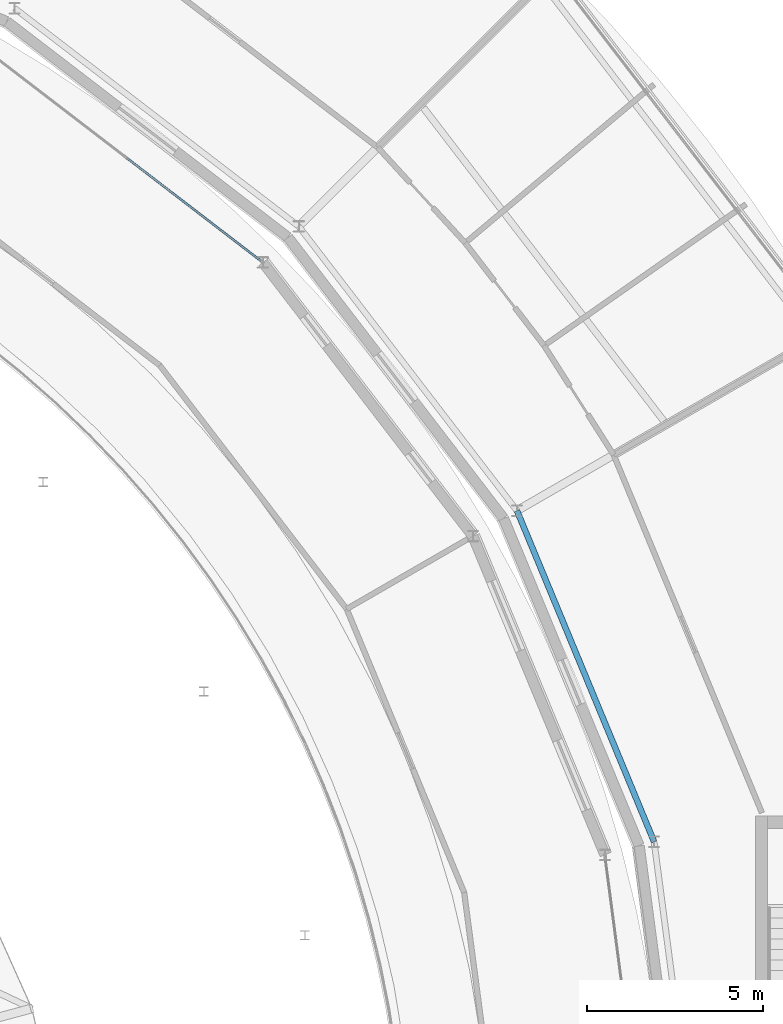
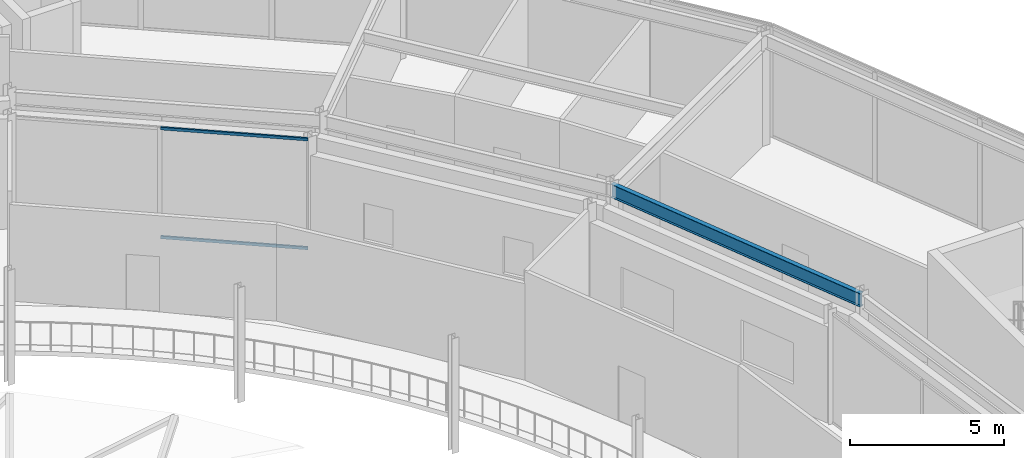
# One storey, part 54 of 116: 2 members, 1 beam, 1 element without a shape of its own.
"""IFC4 building model written with IfcOpenShell, lengths in metres."""

from ifc_helpers import new_model, si_unit, direction, frame, origin, origin_2d, place, context, subcontext, project, spatial, hollow_rectangle, i_section, extrude, material, material_profile, profile_set, type_object, element, aggregate, save


model = new_model("IFC4")

# Units and contexts
model_context = context("Model", 3, precision=1e-05, world=origin(), true_north=direction((0.0, 1.0)))
body_context = subcontext(model_context, "Body", "Model", "MODEL_VIEW")
ifc_project = project(units=[si_unit("LENGTHUNIT", "METRE"), si_unit("AREAUNIT", "SQUARE_METRE"), si_unit("VOLUMEUNIT", "CUBIC_METRE"), si_unit("PLANEANGLEUNIT", "RADIAN"), si_unit("MASSUNIT", "GRAM", prefix="KILO")], contexts=[model_context])

# Site, building, storey
site_placement = place(None, origin())
site = spatial("IfcSite", under=ifc_project, at=site_placement, CompositionType="ELEMENT")
building_placement = place(site_placement, origin())
building = spatial("IfcBuilding", under=site, at=building_placement, Name="Almandine Court Research Institute", CompositionType="ELEMENT")
storey_placement = place(building_placement, frame((0.0, 0.0, 14.35009765625)))
storey = spatial("IfcBuildingStorey", under=building, at=storey_placement, Name="L03", CompositionType="ELEMENT", Elevation=14.35009765625)

# Beam
ifc_material_1 = material(Name="Steel ASTM A992 Grade 50", Category="steel")
ifc_material_profile_1 = material_profile(ifc_material_1, i_section(OverallWidth=0.166015625, OverallDepth=0.534912109375, WebThickness=0.010009765625, FlangeThickness=0.01708984375, at=origin_2d()), Name="W530x85")
ifc_profile_set_1 = profile_set([ifc_material_profile_1], Name="Steel ASTM A992 Grade 50")
beam_type = type_object("IfcBeamType", Name="Beam-G-05-E", PredefinedType="SPANDREL", material=ifc_profile_set_1)
beam_placement = place(storey_placement, frame((124.76806640625, 66.1201171875, 4.102783203125), z_axis=(-0.382683455912, 0.923879522758, 0.0), x_axis=(-0.923879522758, -0.382683455912, 0.0)))
element("IfcBeam", 1, at=beam_placement, inside=storey, type_object=beam_type, Name="L03 Drum IN Ring Beam 01", PredefinedType="SPANDREL", context=body_context, shape_type="SweptSolid", body=[
    extrude(i_section(OverallWidth=0.166015625, OverallDepth=0.534912109375, WebThickness=0.010009765625, FlangeThickness=0.01708984375, at=origin_2d()), origin(), (0.0, 0.0, 1.0), 10.206787109375),
])

# Curtain wall, members
ifc_material_2 = material(Name="Unitised Curtain Wall Framing and Solar Glazing", Category="glass")
curtain_wall_type = type_object("IfcCurtainWallType", Name="CW-CWG-24", PredefinedType="USERDEFINED", material=ifc_material_2)
curtain_wall_placement = place(storey_placement, origin())
curtain_wall = element("IfcCurtainWall", 2, at=curtain_wall_placement, inside=storey, type_object=curtain_wall_type, Name="L03 Interaction Atrium Perimeter Curtain Wall 03", ObjectType="UNITISED GLAZING", PredefinedType="USERDEFINED")
ifc_material_3 = material(Name="Anodised Aluminium AW-6063-T6", Category="aluminium")
ifc_material_profile_2 = material_profile(ifc_material_3, hollow_rectangle(XDim=0.06005859375, YDim=0.110107421875, WallThickness=0.00390625, at=origin_2d()), Name="ALU RHS 60x110x4")
ifc_profile_set_2 = profile_set([ifc_material_profile_2], Name="Anodised Aluminium AW-6063-T6")
member_type = type_object("IfcMemberType", Name="CWTrn-60x110", PredefinedType="NOTDEFINED", material=ifc_profile_set_2)
member_1_placement = place(storey_placement, frame((109.747802734375, 85.59619140625, 0.02978515625), z_axis=(0.793376443338, -0.608731319349, 0.0), x_axis=(0.608731319349, 0.793376443338, 0.0)))
member_1 = element("IfcMember", 3, at=member_1_placement, type_object=member_type, Name="CWG-24 transom 2.1", ObjectType="TRANSOM", PredefinedType="USERDEFINED", context=body_context, shape_type="SweptSolid", body=[
    extrude(hollow_rectangle(XDim=0.06005859375, YDim=0.110107421875, WallThickness=0.00390625, at=origin_2d()), origin(), (0.0, 0.0, 1.0), 4.82080078125),
])
member_2_placement = place(storey_placement, frame((109.747802734375, 85.59619140625, 4.33984375), z_axis=(0.793376443338, -0.608731319349, 0.0), x_axis=(0.608731319349, 0.793376443338, 0.0)))
member_2 = element("IfcMember", 4, at=member_2_placement, type_object=member_type, Name="CWG-24 transom 2.2", ObjectType="TRANSOM", PredefinedType="USERDEFINED", context=body_context, shape_type="SweptSolid", body=[
    extrude(hollow_rectangle(XDim=0.06005859375, YDim=0.110107421875, WallThickness=0.00390625, at=origin_2d()), origin(), (0.0, 0.0, 1.0), 4.82080078125),
])
aggregate(curtain_wall, [member_1, member_2])

save(model, "model.ifc")
